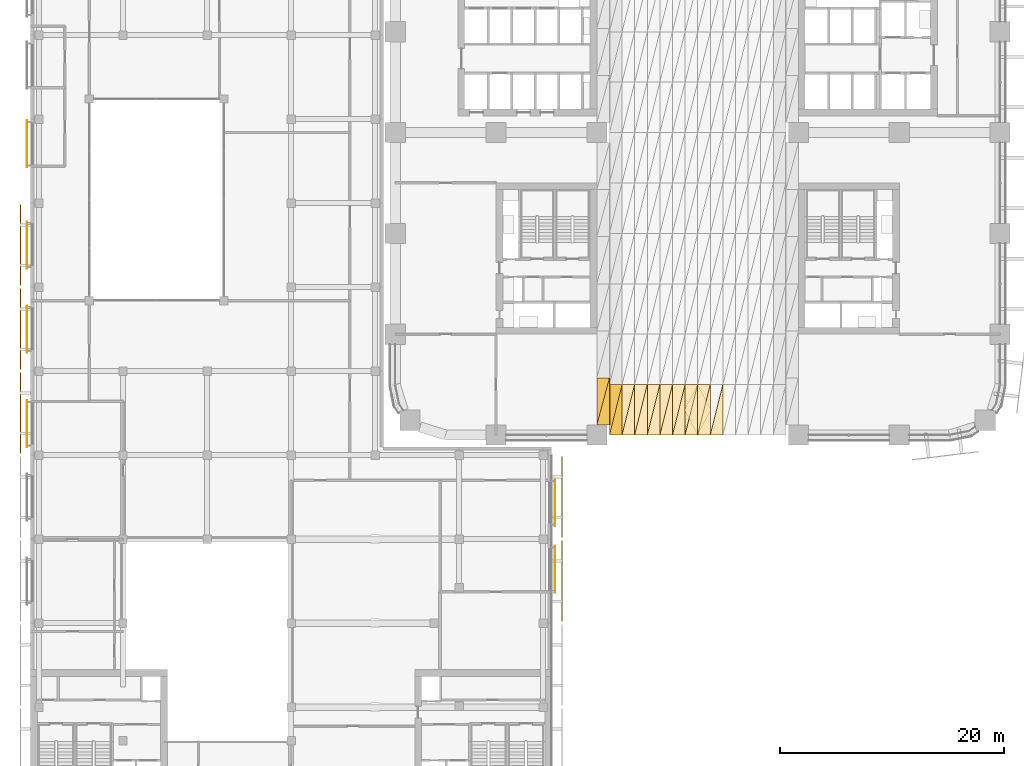
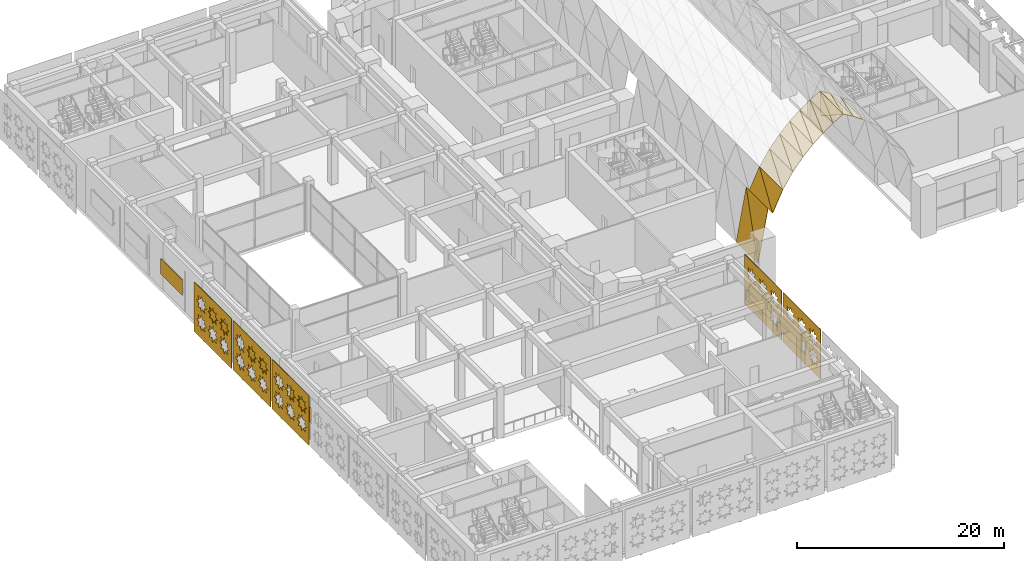
# One storey, part 32 of 46: 32 coverings.
"""IFC4 building model written with IfcOpenShell, lengths in metres."""

import ifcopenshell
import ifcopenshell.guid

model = None  # the IFC model being written
_history = None  # IfcOwnerHistory: only IFC2X3 demands one
_inside = {}  # id of a spatial element -> (the spatial element, [elements in it])
_under = {}  # id of a project, library or spatial element -> (it, [spatial elements below it])
_declared = {}  # id of a project -> (the project, [libraries it declares])
_typed = {}  # id of a type object -> (the type object, [elements of that type])
_made_of = {}  # id of a material, layer set ... -> (it, [elements and type objects made of it])


def new_model(schema):
    """Start an empty IFC model of exactly this schema.

    Asked for "IFC4X3", IfcOpenShell would pick the latest addendum, in which some entities
    have other attributes; the version numbers below select the first issue.
    IFC2X3 requires an IfcOwnerHistory on every rooted entity: one is made here for all.
    """
    global model, _history
    if schema == "IFC4X3":
        model = ifcopenshell.file(schema_version=(4, 3, 0, 0))
    else:
        model = ifcopenshell.file(schema=schema)
    _inside.clear()
    _under.clear()
    _declared.clear()
    _typed.clear()
    _made_of.clear()
    _history = None
    if model.schema == "IFC2X3":
        org = make("IfcOrganization", Name="unknown")
        user = make(
            "IfcPersonAndOrganization",
            ThePerson=make("IfcPerson", FamilyName="unknown"),
            TheOrganization=org,
        )
        app = make(
            "IfcApplication",
            ApplicationDeveloper=org,
            Version="unknown",
            ApplicationFullName="unknown",
            ApplicationIdentifier="unknown",
        )
        _history = make(
            "IfcOwnerHistory",
            OwningUser=user,
            OwningApplication=app,
            ChangeAction="ADDED",
            CreationDate=0,
        )
    return model


def make(cls, **values):
    """One entity of the class cls with the attributes given. An attribute that is None is left unset."""
    return model.create_entity(
        cls, **{name: value for name, value in values.items() if value is not None}
    )


def rooted(cls, **values):
    """An entity with a GlobalId (a new one), such as an element, a storey or a relation."""
    return make(cls, GlobalId=ifcopenshell.guid.new(), OwnerHistory=_history, **values)


def si_unit(unit_type, name, prefix=None):
    """IfcSIUnit, for example si_unit("LENGTHUNIT", "METRE", prefix="MILLI")."""
    return make("IfcSIUnit", UnitType=unit_type, Prefix=prefix, Name=name)


def assignment(units):
    """IfcUnitAssignment: the units of a project."""
    return None if units is None else make("IfcUnitAssignment", Units=units)


def point(xyz):
    """IfcCartesianPoint."""
    return None if xyz is None else make("IfcCartesianPoint", Coordinates=xyz)


def direction(xyz):
    """IfcDirection."""
    return None if xyz is None else make("IfcDirection", DirectionRatios=xyz)


def frame(location, z_axis=None, x_axis=None):
    """IfcAxis2Placement3D, a coordinate frame: its origin and axes. An axis left out is left unset."""
    return make(
        "IfcAxis2Placement3D",
        Location=point(location),
        Axis=direction(z_axis),
        RefDirection=direction(x_axis),
    )


def frame_2d(location, x_axis=None):
    """IfcAxis2Placement2D, a coordinate frame in the plane: its origin and x axis."""
    return make(
        "IfcAxis2Placement2D", Location=point(location), RefDirection=direction(x_axis)
    )


def origin():
    """The frame at (0, 0, 0) with its axes left unset."""
    return frame((0.0, 0.0, 0.0))


def origin_2d():
    """The frame at (0, 0) in the plane with its x axis left unset."""
    return frame_2d((0.0, 0.0))


def place(relative_to, where):
    """IfcLocalPlacement: puts the frame where relative to a parent placement (None: the world)."""
    return make(
        "IfcLocalPlacement", PlacementRelTo=relative_to, RelativePlacement=where
    )


def context(
    kind, dimensions, precision=None, world=None, true_north=None, identifier=None
):
    """IfcGeometricRepresentationContext, for example the 3D "Model" context."""
    return make(
        "IfcGeometricRepresentationContext",
        ContextIdentifier=identifier,
        ContextType=kind,
        CoordinateSpaceDimension=dimensions,
        Precision=precision,
        WorldCoordinateSystem=world,
        TrueNorth=true_north,
    )


def subcontext(parent, identifier, kind, view, scale=None):
    """IfcGeometricRepresentationSubContext, for example "Body" below "Model"."""
    return make(
        "IfcGeometricRepresentationSubContext",
        ContextIdentifier=identifier,
        ContextType=kind,
        ParentContext=parent,
        TargetScale=scale,
        TargetView=view,
    )


def project(units=None, contexts=None):
    """IfcProject with its units and contexts."""
    return rooted(
        "IfcProject",
        Name="project",
        RepresentationContexts=contexts,
        UnitsInContext=assignment(units),
    )


def spatial(cls, under=None, at=None, **own):
    """A site, building, storey or space (cls), placed at a placement, below another one or the project."""
    s = rooted(cls, ObjectPlacement=at, **own)
    if under is not None:
        _under.setdefault(under.id(), (under, []))[1].append(s)
    return s


def polyline(points):
    """IfcPolyline through the points."""
    return make("IfcPolyline", Points=[point(p) for p in points])


def profile(cls, at=None, kind="AREA", **sizes):
    """A parametric profile (cls). Its sizes go by their IFC names, for example OverallWidth=200.0."""
    return make(cls, ProfileType=kind, Position=at, **sizes)


def rectangle(**sizes):
    """IfcRectangleProfileDef."""
    return profile("IfcRectangleProfileDef", **sizes)


def outline(outer, holes=None, kind="AREA"):
    """IfcArbitraryClosedProfileDef: a profile drawn as a closed curve; with holes, ...WithVoids."""
    if holes is None:
        return make("IfcArbitraryClosedProfileDef", ProfileType=kind, OuterCurve=outer)
    return make(
        "IfcArbitraryProfileDefWithVoids",
        ProfileType=kind,
        OuterCurve=outer,
        InnerCurves=holes,
    )


def extrude(swept, where, along, depth):
    """IfcExtrudedAreaSolid: the profile swept, set in the frame where, extruded along a direction by depth."""
    return make(
        "IfcExtrudedAreaSolid",
        SweptArea=swept,
        Position=where,
        ExtrudedDirection=direction(along),
        Depth=depth,
    )


def shape(context_of_items, identifier, shape_type, items):
    """IfcShapeRepresentation: the items that make up one representation, for example the "Body"."""
    return make(
        "IfcShapeRepresentation",
        ContextOfItems=context_of_items,
        RepresentationIdentifier=identifier,
        RepresentationType=shape_type,
        Items=items,
    )


def material(Name=None, Category=None):
    """IfcMaterial."""
    return make("IfcMaterial", Name=Name, Category=Category)


def layer(
    of_material, thickness, ventilated=None, Name=None, Category=None, Priority=None
):
    """IfcMaterialLayer: one layer of a wall or slab, of a material (None: an air gap)."""
    return make(
        "IfcMaterialLayer",
        Material=of_material,
        LayerThickness=thickness,
        IsVentilated=ventilated,
        Name=Name,
        Category=Category,
        Priority=Priority,
    )


def layer_set(layers, Name=None):
    """IfcMaterialLayerSet."""
    return make("IfcMaterialLayerSet", MaterialLayers=layers, LayerSetName=Name)


def made_of(thing, what):
    """Note that an element or type object is made of a material, layer set ...; save() writes the relation."""
    if what is not None:
        _made_of.setdefault(what.id(), (what, []))[1].append(thing)
    return thing


def type_object(cls, material=None, **own):
    """A type object (cls), such as IfcWallType, which elements share."""
    return made_of(rooted(cls, **own), material)


def element(
    cls,
    number,
    at=None,
    inside=None,
    cuts=None,
    type_object=None,
    material=None,
    context=None,
    identifier="Body",
    shape_type=None,
    held_by="IfcProductDefinitionShape",
    body=None,
    shapes=None,
    **own,
):
    """One element of the class cls, such as IfcWall. Its Tag is "e" and its number.

    at: its placement. inside: the storey or other place that contains it. cuts: it is an
    opening in that element (IfcRelVoidsElement). A single representation is given by context,
    identifier, shape_type and body (its items); several are given by shapes. held_by: the class
    of the entity that holds the representations. save() writes the other relations.
    """
    e = rooted(cls, Tag="e%d" % number, ObjectPlacement=at, **own)
    if body is not None:
        shapes = [shape(context, identifier, shape_type, body)]
    if shapes is not None:
        e.Representation = make(held_by, Representations=shapes)
    if inside is not None:
        _inside.setdefault(inside.id(), (inside, []))[1].append(e)
    if cuts is not None:
        rooted(
            "IfcRelVoidsElement", RelatingBuildingElement=cuts, RelatedOpeningElement=e
        )
    if type_object is not None:
        _typed.setdefault(type_object.id(), (type_object, []))[1].append(e)
    return made_of(e, material)


def aggregate(whole, parts):
    """IfcRelAggregates: a whole, such as a stair, and the parts it consists of."""
    return rooted("IfcRelAggregates", RelatingObject=whole, RelatedObjects=parts)


def save(model, path):
    """Write the relations noted so far, then the file.

    IfcRelAggregates (storeys below a building ...), IfcRelContainedInSpatialStructure (elements
    in a storey), IfcRelDefinesByType, IfcRelAssociatesMaterial and IfcRelDeclares: one each for
    every whole, place, type object, material and project.
    """
    for whole, parts in _under.values():
        aggregate(whole, parts)
    for where, things in _inside.values():
        rooted(
            "IfcRelContainedInSpatialStructure",
            RelatedElements=things,
            RelatingStructure=where,
        )
    for kind, things in _typed.values():
        rooted("IfcRelDefinesByType", RelatedObjects=things, RelatingType=kind)
    for what, things in _made_of.values():
        rooted("IfcRelAssociatesMaterial", RelatedObjects=things, RelatingMaterial=what)
    for by, libraries in _declared.values():
        rooted("IfcRelDeclares", RelatingContext=by, RelatedDefinitions=libraries)
    model.write(path)


model = new_model("IFC4")

# Units and contexts
model_context = context("Model", 3, precision=1e-05, world=origin(), true_north=direction((0.0, 1.0)))
body_context = subcontext(model_context, "Body", "Model", "MODEL_VIEW")
ifc_project = project(units=[si_unit("LENGTHUNIT", "METRE"), si_unit("AREAUNIT", "SQUARE_METRE"), si_unit("VOLUMEUNIT", "CUBIC_METRE"), si_unit("PLANEANGLEUNIT", "RADIAN"), si_unit("MASSUNIT", "GRAM", prefix="KILO")], contexts=[model_context])

# Site, building, storey
site_placement = place(None, origin())
site = spatial("IfcSite", under=ifc_project, at=site_placement, CompositionType="ELEMENT")
building_placement = place(site_placement, origin())
building = spatial("IfcBuilding", under=site, at=building_placement, Name="Tessera Arch", CompositionType="ELEMENT")
storey_placement = place(building_placement, frame((0.0, 0.0, 8.0)))
storey = spatial("IfcBuildingStorey", under=building, at=storey_placement, Name="L01", CompositionType="ELEMENT", Elevation=8.0)

# Coverings
ifc_material_1 = material(Name="Aluminium cladding pale metal anodised", Category="aluminium")
ifc_layer_1 = layer(ifc_material_1, 0.050048828125)
ifc_layer_set_1 = layer_set([ifc_layer_1], Name="Arch soffit panel")
covering_type_1 = type_object("IfcCoveringType", Name="Arch soffit panel", PredefinedType="CLADDING", material=ifc_layer_set_1)
covering_1_placement = place(storey_placement, frame((18.0, 0.89990234375, 2.0), z_axis=(-0.98331706381, 0.0, 0.181899840628), x_axis=(0.181899840628, 0.0, 0.98331706381)))
element("IfcCovering", 1, at=covering_1_placement, inside=storey, type_object=covering_type_1, Name="Arch soffit panel 1-1-1", PredefinedType="CLADDING", context=body_context, shape_type="SweptSolid", body=[
    extrude(outline(polyline([(0.0, 0.0), (6.184722296170829, 0.0), (6.184722296170829, 4.200195312500001), (0.0, 0.0)])), origin(), (0.0, 0.0, -1.0), 0.050048828125),
])
covering_2_placement = place(storey_placement, frame((18.0, 0.89990234375, 2.0), z_axis=(-0.98331706381, 0.0, 0.181899840628), x_axis=(0.150479044377, 0.561814557175, 0.813462021578)))
element("IfcCovering", 2, at=covering_2_placement, inside=storey, type_object=covering_type_1, Name="Arch soffit panel 1-1-2", PredefinedType="CLADDING", context=body_context, shape_type="SweptSolid", body=[
    extrude(outline(polyline([(0.0, 0.0), (7.47612403213721, 4.440892098500626e-16), (2.3597308695403933, 3.4746670180731147), (0.0, 0.0)])), origin(), (0.0, 0.0, -1.0), 0.050048828125),
])
covering_3_placement = place(storey_placement, frame((19.125, 0.0, 8.08154296875), z_axis=(-0.903430696756, 0.0, 0.428734155577), x_axis=(0.428734155577, 0.0, 0.903430696756)))
element("IfcCovering", 3, at=covering_3_placement, inside=storey, type_object=covering_type_1, Name="Arch soffit panel 2-1-1", PredefinedType="CLADDING", context=body_context, shape_type="SweptSolid", body=[
    extrude(outline(polyline([(0.0, 0.0), (2.624003675391368, 0.0), (2.624003675391368, 4.500000000000001), (0.0, 0.0)])), origin(), (0.0, 0.0, -1.0), 0.050048828125),
])
covering_4_placement = place(storey_placement, frame((19.125, 0.0, 8.08154296875), z_axis=(-0.903430696756, 0.0, 0.428734155577), x_axis=(0.215965533365, 0.863862133459, 0.455083621739)))
element("IfcCovering", 4, at=covering_4_placement, inside=storey, type_object=covering_type_1, Name="Arch soffit panel 2-1-2", PredefinedType="CLADDING", context=body_context, shape_type="SweptSolid", body=[
    extrude(outline(polyline([(0.0, 0.0), (5.209164548031422, 0.0), (3.887379600564281, 2.2667774132271337), (0.0, 0.0)])), origin(), (0.0, 0.0, -1.0), 0.050048828125),
])
covering_5_placement = place(storey_placement, frame((20.25, 0.0, 10.4521484375), z_axis=(-0.836058150895, 0.0, 0.548640837272), x_axis=(0.548640837272, 0.0, 0.836058150895)))
element("IfcCovering", 5, at=covering_5_placement, inside=storey, type_object=covering_type_1, Name="Arch soffit panel 3-1-1", PredefinedType="CLADDING", context=body_context, shape_type="SweptSolid", body=[
    extrude(outline(polyline([(0.0, 0.0), (2.050521805110356, 0.0), (2.050521805110356, 4.500000000000001), (0.0, 0.0)])), origin(), (0.0, 0.0, -1.0), 0.050048828125),
])
covering_6_placement = place(storey_placement, frame((20.25, 0.0, 10.4521484375), z_axis=(-0.836058150895, 0.0, 0.548640837272), x_axis=(0.227495016996, 0.909980067983, 0.346673179111)))
element("IfcCovering", 6, at=covering_6_placement, inside=storey, type_object=covering_type_1, Name="Arch soffit panel 3-1-2", PredefinedType="CLADDING", context=body_context, shape_type="SweptSolid", body=[
    extrude(outline(polyline([(0.0, 0.0), (4.945163260523664, 0.0), (4.094910305924995, 1.8659339716156267), (0.0, 0.0)])), origin(), (0.0, 0.0, -1.0), 0.050048828125),
])
covering_7_placement = place(storey_placement, frame((21.375, 0.0, 12.16650390625), z_axis=(-0.769435590456, 0.0, 0.638724410164), x_axis=(0.638724410164, 0.0, 0.769435590456)))
element("IfcCovering", 7, at=covering_7_placement, inside=storey, type_object=covering_type_1, Name="Arch soffit panel 4-1-1", PredefinedType="CLADDING", context=body_context, shape_type="SweptSolid", body=[
    extrude(outline(polyline([(0.0, 0.0), (1.7613230089496987, 0.0), (1.7613230089496987, 4.5), (0.0, 0.0)])), origin(), (0.0, 0.0, -1.0), 0.050048828125),
])
covering_8_placement = place(storey_placement, frame((21.375, 0.0, 12.16650390625), z_axis=(-0.769435590456, 0.0, 0.638724410164), x_axis=(0.232802733554, 0.931210934214, 0.280444438793)))
element("IfcCovering", 8, at=covering_8_placement, inside=storey, type_object=covering_type_1, Name="Arch soffit panel 4-1-2", PredefinedType="CLADDING", context=body_context, shape_type="SweptSolid", body=[
    extrude(outline(polyline([(0.0, 0.0), (4.832417484226257, 2.220446049250313e-16), (4.190449203964491, 1.640163244617246), (0.0, 0.0)])), origin(), (0.0, 0.0, -1.0), 0.050048828125),
])
covering_9_placement = place(storey_placement, frame((22.5, 0.0, 13.521728515625), z_axis=(-0.70300502251, 0.0, 0.711184883364), x_axis=(0.711184883364, 0.0, 0.70300502251)))
element("IfcCovering", 9, at=covering_9_placement, inside=storey, type_object=covering_type_1, Name="Arch soffit panel 5-1-1", PredefinedType="CLADDING", context=body_context, shape_type="SweptSolid", body=[
    extrude(outline(polyline([(0.0, 0.0), (1.5818671435730385, 0.0), (1.5818671435730385, 4.5), (0.0, 0.0)])), origin(), (0.0, 0.0, -1.0), 0.050048828125),
])
covering_10_placement = place(storey_placement, frame((22.5, 0.0, 13.521728515625), z_axis=(-0.70300502251, 0.0, 0.711184883364), x_axis=(0.235852147397, 0.943408589587, 0.233139438236)))
element("IfcCovering", 10, at=covering_10_placement, inside=storey, type_object=covering_type_1, Name="Arch soffit panel 5-1-2", PredefinedType="CLADDING", context=body_context, shape_type="SweptSolid", body=[
    extrude(outline(polyline([(0.0, 0.0), (4.769937490147635, 0.0), (4.245338653143071, 1.4923470508328087), (0.0, 0.0)])), origin(), (0.0, 0.0, -1.0), 0.050048828125),
])
covering_11_placement = place(storey_placement, frame((23.625, 0.0, 14.6337890625), z_axis=(-0.636621915226, 0.0, 0.771176073964), x_axis=(0.771176073964, 0.0, 0.636621915226)))
element("IfcCovering", 11, at=covering_11_placement, inside=storey, type_object=covering_type_1, Name="Arch soffit panel 6-1-1", PredefinedType="CLADDING", context=body_context, shape_type="SweptSolid", body=[
    extrude(outline(polyline([(0.0, 0.0), (1.4588108189316835, 0.0), (1.4588108189316835, 4.5), (0.0, 0.0)])), origin(), (0.0, 0.0, -1.0), 0.050048828125),
])
covering_12_placement = place(storey_placement, frame((23.625, 0.0, 14.6337890625), z_axis=(-0.636621915226, 0.0, 0.771176073964), x_axis=(0.237815762211, 0.951263048844, 0.1963218662)))
element("IfcCovering", 12, at=covering_12_placement, inside=storey, type_object=covering_type_1, Name="Arch soffit panel 6-1-2", PredefinedType="CLADDING", context=body_context, shape_type="SweptSolid", body=[
    extrude(outline(polyline([(0.0, 0.0), (4.730552716695177, 1.1102230246251565e-16), (4.280683719797313, 1.3877128273033432), (0.0, 0.0)])), origin(), (0.0, 0.0, -1.0), 0.050048828125),
])
covering_13_placement = place(storey_placement, frame((24.75, 0.0, 15.5625), z_axis=(-0.570275535921, 0.0, 0.821453475938), x_axis=(0.821453475938, 0.0, 0.570275535921)))
element("IfcCovering", 13, at=covering_13_placement, inside=storey, type_object=covering_type_1, Name="Arch soffit panel 7-1-1", PredefinedType="CLADDING", context=body_context, shape_type="SweptSolid", body=[
    extrude(outline(polyline([(0.0, 0.0), (1.3695236954423544, 0.0), (1.3695236954423544, 4.5), (0.0, 0.0)])), origin(), (0.0, 0.0, -1.0), 0.050048828125),
])
covering_14_placement = place(storey_placement, frame((24.75, 0.0, 15.5625), z_axis=(-0.570275535921, 0.0, 0.821453475938), x_axis=(0.239169084806, 0.956676339224, 0.166037739213)))
element("IfcCovering", 14, at=covering_14_placement, inside=storey, type_object=covering_type_1, Name="Arch soffit panel 7-1-2", PredefinedType="CLADDING", context=body_context, shape_type="SweptSolid", body=[
    extrude(outline(polyline([(0.0, 0.0), (4.703785194115276, 1.6653345369377348e-16), (4.305043526505844, 1.3101909154356595), (0.0, 0.0)])), origin(), (0.0, 0.0, -1.0), 0.050048828125),
])
covering_15_placement = place(storey_placement, frame((25.875, 0.0, 16.343505859375), z_axis=(-0.504010866283, 0.0, 0.863697311949), x_axis=(0.863697311949, 0.0, 0.504010866283)))
element("IfcCovering", 15, at=covering_15_placement, inside=storey, type_object=covering_type_1, Name="Arch soffit panel 8-1-1", PredefinedType="CLADDING", context=body_context, shape_type="SweptSolid", body=[
    extrude(outline(polyline([(0.0, 0.0), (1.3025396564692215, 0.0), (1.3025396564692215, 4.5), (0.0, 0.0)])), origin(), (0.0, 0.0, -1.0), 0.050048828125),
])
covering_16_placement = place(storey_placement, frame((25.875, 0.0, 16.343505859375), z_axis=(-0.504010866283, 0.0, 0.863697311949), x_axis=(0.240142376268, 0.960569505072, 0.140135167054)))
element("IfcCovering", 16, at=covering_16_placement, inside=storey, type_object=covering_type_1, Name="Arch soffit panel 8-1-2", PredefinedType="CLADDING", context=body_context, shape_type="SweptSolid", body=[
    extrude(outline(polyline([(0.0, 0.0), (4.684720862193921, 1.6653345369377348e-16), (4.322562772825837, 1.2511798731518247), (0.0, 0.0)])), origin(), (0.0, 0.0, -1.0), 0.050048828125),
])
covering_17_placement = place(storey_placement, frame((27.0, 0.0, 17.0), z_axis=(0.504010866283, 0.0, 0.863697311949), x_axis=(0.863697311949, 0.0, -0.504010866283)))
element("IfcCovering", 17, at=covering_17_placement, inside=storey, type_object=covering_type_1, Name="Arch soffit panel 9-1-1", PredefinedType="CLADDING", context=body_context, shape_type="SweptSolid", body=[
    extrude(outline(polyline([(0.0, 0.0), (1.3025396564692215, 0.0), (1.3025396564692215, 4.5), (0.0, 0.0)])), origin(), (0.0, 0.0, -1.0), 0.050048828125),
])
covering_18_placement = place(storey_placement, frame((27.0, 0.0, 17.0), z_axis=(0.504010866283, 0.0, 0.863697311949), x_axis=(0.240142376268, 0.960569505072, -0.140135167054)))
element("IfcCovering", 18, at=covering_18_placement, inside=storey, type_object=covering_type_1, Name="Arch soffit panel 9-1-2", PredefinedType="CLADDING", context=body_context, shape_type="SweptSolid", body=[
    extrude(outline(polyline([(0.0, 0.0), (4.684720862193921, 1.6653345369377348e-16), (4.322562772825837, 1.2511798731518247), (0.0, 0.0)])), origin(), (0.0, 0.0, -1.0), 0.050048828125),
])
covering_19_placement = place(storey_placement, frame((28.125, 0.0, 16.343505859375), z_axis=(0.570275535921, 0.0, 0.821453475938), x_axis=(0.821453475938, 0.0, -0.570275535921)))
element("IfcCovering", 19, at=covering_19_placement, inside=storey, type_object=covering_type_1, Name="Arch soffit panel 10-1-1", PredefinedType="CLADDING", context=body_context, shape_type="SweptSolid", body=[
    extrude(outline(polyline([(0.0, 0.0), (1.3695236954423544, 0.0), (1.3695236954423544, 4.5), (0.0, 0.0)])), origin(), (0.0, 0.0, -1.0), 0.050048828125),
])
covering_20_placement = place(storey_placement, frame((27.0, 0.0, 16.949951171875), z_axis=(-0.675690668518, 0.0, 0.737185268761), x_axis=(0.0, 1.0, 0.0)))
element("IfcCovering", 20, at=covering_20_placement, inside=storey, type_object=covering_type_1, Name="Arch soffit facet W1", PredefinedType="CLADDING", context=body_context, shape_type="SweptSolid", body=[
    extrude(outline(polyline([(0.0, 0.0), (4.5, 0.0), (2.25, 1.6277470843828468), (0.0, 0.0)])), origin(), (0.0, 0.0, -1.0), 0.050048828125),
])
covering_21_placement = place(storey_placement, frame((27.0, 0.0, 16.949951171875), z_axis=(0.675690668518, 0.0, 0.737185268761), x_axis=(0.0, 1.0, 0.0)))
element("IfcCovering", 21, at=covering_21_placement, inside=storey, type_object=covering_type_1, Name="Arch soffit facet E1", PredefinedType="CLADDING", context=body_context, shape_type="SweptSolid", body=[
    extrude(outline(polyline([(0.0, 0.0), (4.5, 0.0), (2.25, -1.6277470843828468), (0.0, 0.0)])), origin(), (0.0, 0.0, -1.0), 0.050048828125),
])
ifc_material_2 = material(Name="Anodised aluminium pale metal", Category="aluminium")
ifc_layer_2 = layer(ifc_material_2, 0.050048828125)
ifc_layer_set_2 = layer_set([ifc_layer_2], Name="Museum lattice skin panel")
covering_type_2 = type_object("IfcCoveringType", Name="Museum lattice skin panel", PredefinedType="CLADDING", material=ifc_layer_set_2)
covering_22_placement = place(storey_placement, frame((14.85009765625, -16.64990234375, 5.949951171875), z_axis=(-1.0, 0.0, 0.0), x_axis=(0.0, 1.0, 0.0)))
element("IfcCovering", 22, at=covering_22_placement, inside=storey, type_object=covering_type_2, Name="Museum lattice skin L01 2-4", PredefinedType="CLADDING", context=body_context, shape_type="SweptSolid", body=[
    extrude(outline(polyline([(0.0, 0.0), (7.199951171875, 0.0), (7.199951171875, 5.849853515625), (0.0, 5.849853515625), (0.0, 0.0)]), holes=[polyline([(2.367919921875, 4.02490234375), (1.887939453125, 3.822998046875), (2.083984375, 3.341064453125), (1.601806640625, 3.536865234375), (1.39990234375, 3.056884765625), (1.197998046875, 3.536865234375), (0.7158203125, 3.341064453125), (0.911865234375, 3.822998046875), (0.431884765625, 4.02490234375), (0.911865234375, 4.22705078125), (0.7158203125, 4.708984375), (1.197998046875, 4.512939453125), (1.39990234375, 4.992919921875), (1.601806640625, 4.512939453125), (2.083984375, 4.708984375), (1.887939453125, 4.22705078125), (2.367919921875, 4.02490234375)]), polyline([(2.367919921875, 1.824951171875), (1.887939453125, 1.623046875), (2.083984375, 1.140869140625), (1.601806640625, 1.3369140625), (1.39990234375, 0.85693359375), (1.197998046875, 1.3369140625), (0.7158203125, 1.140869140625), (0.911865234375, 1.623046875), (0.431884765625, 1.824951171875), (0.911865234375, 2.02685546875), (0.7158203125, 2.509033203125), (1.197998046875, 2.31298828125), (1.39990234375, 2.79296875), (1.601806640625, 2.31298828125), (2.083984375, 2.509033203125), (1.887939453125, 2.02685546875), (2.367919921875, 1.824951171875)]), polyline([(4.56787109375, 4.02490234375), (4.087890625, 3.822998046875), (4.283935546875, 3.341064453125), (3.802001953125, 3.536865234375), (3.599853515625, 3.056884765625), (3.39794921875, 3.536865234375), (2.916015625, 3.341064453125), (3.11181640625, 3.822998046875), (2.6318359375, 4.02490234375), (3.11181640625, 4.22705078125), (2.916015625, 4.708984375), (3.39794921875, 4.512939453125), (3.599853515625, 4.992919921875), (3.802001953125, 4.512939453125), (4.283935546875, 4.708984375), (4.087890625, 4.22705078125), (4.56787109375, 4.02490234375)]), polyline([(4.56787109375, 1.824951171875), (4.087890625, 1.623046875), (4.283935546875, 1.140869140625), (3.802001953125, 1.3369140625), (3.599853515625, 0.85693359375), (3.39794921875, 1.3369140625), (2.916015625, 1.140869140625), (3.11181640625, 1.623046875), (2.6318359375, 1.824951171875), (3.11181640625, 2.02685546875), (2.916015625, 2.509033203125), (3.39794921875, 2.31298828125), (3.599853515625, 2.79296875), (3.802001953125, 2.31298828125), (4.283935546875, 2.509033203125), (4.087890625, 2.02685546875), (4.56787109375, 1.824951171875)]), polyline([(6.767822265625, 4.02490234375), (6.287841796875, 3.822998046875), (6.48388671875, 3.341064453125), (6.001953125, 3.536865234375), (5.7998046875, 3.056884765625), (5.597900390625, 3.536865234375), (5.115966796875, 3.341064453125), (5.31201171875, 3.822998046875), (4.831787109375, 4.02490234375), (5.31201171875, 4.22705078125), (5.115966796875, 4.708984375), (5.597900390625, 4.512939453125), (5.7998046875, 4.992919921875), (6.001953125, 4.512939453125), (6.48388671875, 4.708984375), (6.287841796875, 4.22705078125), (6.767822265625, 4.02490234375)]), polyline([(6.767822265625, 1.824951171875), (6.287841796875, 1.623046875), (6.48388671875, 1.140869140625), (6.001953125, 1.3369140625), (5.7998046875, 0.85693359375), (5.597900390625, 1.3369140625), (5.115966796875, 1.140869140625), (5.31201171875, 1.623046875), (4.831787109375, 1.824951171875), (5.31201171875, 2.02685546875), (5.115966796875, 2.509033203125), (5.597900390625, 2.31298828125), (5.7998046875, 2.79296875), (6.001953125, 2.31298828125), (6.48388671875, 2.509033203125), (6.287841796875, 2.02685546875), (6.767822265625, 1.824951171875)])]), origin(), (0.0, 0.0, -1.0), 0.050048828125),
])
covering_23_placement = place(storey_placement, frame((14.85009765625, -9.14990234375, 5.949951171875), z_axis=(-1.0, 0.0, 0.0), x_axis=(0.0, 1.0, 0.0)))
element("IfcCovering", 23, at=covering_23_placement, inside=storey, type_object=covering_type_2, Name="Museum lattice skin L01 2-5", PredefinedType="CLADDING", context=body_context, shape_type="SweptSolid", body=[
    extrude(outline(polyline([(0.0, 0.0), (7.199951171875, 0.0), (7.199951171875, 5.849853515625), (0.0, 5.849853515625), (0.0, 0.0)]), holes=[polyline([(2.367919921875, 4.02490234375), (1.887939453125, 3.822998046875), (2.083984375, 3.341064453125), (1.601806640625, 3.536865234375), (1.39990234375, 3.056884765625), (1.197998046875, 3.536865234375), (0.7158203125, 3.341064453125), (0.911865234375, 3.822998046875), (0.431884765625, 4.02490234375), (0.911865234375, 4.22705078125), (0.7158203125, 4.708984375), (1.197998046875, 4.512939453125), (1.39990234375, 4.992919921875), (1.601806640625, 4.512939453125), (2.083984375, 4.708984375), (1.887939453125, 4.22705078125), (2.367919921875, 4.02490234375)]), polyline([(2.367919921875, 1.824951171875), (1.887939453125, 1.623046875), (2.083984375, 1.140869140625), (1.601806640625, 1.3369140625), (1.39990234375, 0.85693359375), (1.197998046875, 1.3369140625), (0.7158203125, 1.140869140625), (0.911865234375, 1.623046875), (0.431884765625, 1.824951171875), (0.911865234375, 2.02685546875), (0.7158203125, 2.509033203125), (1.197998046875, 2.31298828125), (1.39990234375, 2.79296875), (1.601806640625, 2.31298828125), (2.083984375, 2.509033203125), (1.887939453125, 2.02685546875), (2.367919921875, 1.824951171875)]), polyline([(4.56787109375, 4.02490234375), (4.087890625, 3.822998046875), (4.283935546875, 3.341064453125), (3.802001953125, 3.536865234375), (3.599853515625, 3.056884765625), (3.39794921875, 3.536865234375), (2.916015625, 3.341064453125), (3.11181640625, 3.822998046875), (2.6318359375, 4.02490234375), (3.11181640625, 4.22705078125), (2.916015625, 4.708984375), (3.39794921875, 4.512939453125), (3.599853515625, 4.992919921875), (3.802001953125, 4.512939453125), (4.283935546875, 4.708984375), (4.087890625, 4.22705078125), (4.56787109375, 4.02490234375)]), polyline([(4.56787109375, 1.824951171875), (4.087890625, 1.623046875), (4.283935546875, 1.140869140625), (3.802001953125, 1.3369140625), (3.599853515625, 0.85693359375), (3.39794921875, 1.3369140625), (2.916015625, 1.140869140625), (3.11181640625, 1.623046875), (2.6318359375, 1.824951171875), (3.11181640625, 2.02685546875), (2.916015625, 2.509033203125), (3.39794921875, 2.31298828125), (3.599853515625, 2.79296875), (3.802001953125, 2.31298828125), (4.283935546875, 2.509033203125), (4.087890625, 2.02685546875), (4.56787109375, 1.824951171875)]), polyline([(6.767822265625, 4.02490234375), (6.287841796875, 3.822998046875), (6.48388671875, 3.341064453125), (6.001953125, 3.536865234375), (5.7998046875, 3.056884765625), (5.597900390625, 3.536865234375), (5.115966796875, 3.341064453125), (5.31201171875, 3.822998046875), (4.831787109375, 4.02490234375), (5.31201171875, 4.22705078125), (5.115966796875, 4.708984375), (5.597900390625, 4.512939453125), (5.7998046875, 4.992919921875), (6.001953125, 4.512939453125), (6.48388671875, 4.708984375), (6.287841796875, 4.22705078125), (6.767822265625, 4.02490234375)]), polyline([(6.767822265625, 1.824951171875), (6.287841796875, 1.623046875), (6.48388671875, 1.140869140625), (6.001953125, 1.3369140625), (5.7998046875, 0.85693359375), (5.597900390625, 1.3369140625), (5.115966796875, 1.140869140625), (5.31201171875, 1.623046875), (4.831787109375, 1.824951171875), (5.31201171875, 2.02685546875), (5.115966796875, 2.509033203125), (5.597900390625, 2.31298828125), (5.7998046875, 2.79296875), (6.001953125, 2.31298828125), (6.48388671875, 2.509033203125), (6.287841796875, 2.02685546875), (6.767822265625, 1.824951171875)])]), origin(), (0.0, 0.0, -1.0), 0.050048828125),
])
covering_24_placement = place(storey_placement, frame((-33.449951171875, 20.550048828125, 5.949951171875), z_axis=(1.0, 0.0, 0.0), x_axis=(0.0, -1.0, 0.0)))
element("IfcCovering", 24, at=covering_24_placement, inside=storey, type_object=covering_type_2, Name="Museum lattice skin L01 6-7", PredefinedType="CLADDING", context=body_context, shape_type="SweptSolid", body=[
    extrude(outline(polyline([(0.0, 0.0), (7.199951171875, 0.0), (7.199951171875, 5.849853515625), (0.0, 5.849853515625), (0.0, 0.0)]), holes=[polyline([(2.3681640625, 4.02490234375), (1.887939453125, 3.822998046875), (2.083984375, 3.341064453125), (1.60205078125, 3.536865234375), (1.400146484375, 3.056884765625), (1.197998046875, 3.536865234375), (0.716064453125, 3.341064453125), (0.912109375, 3.822998046875), (0.43212890625, 4.02490234375), (0.912109375, 4.22705078125), (0.716064453125, 4.708984375), (1.197998046875, 4.512939453125), (1.400146484375, 4.992919921875), (1.60205078125, 4.512939453125), (2.083984375, 4.708984375), (1.887939453125, 4.22705078125), (2.3681640625, 4.02490234375)]), polyline([(2.3681640625, 1.824951171875), (1.887939453125, 1.623046875), (2.083984375, 1.140869140625), (1.60205078125, 1.3369140625), (1.400146484375, 0.85693359375), (1.197998046875, 1.3369140625), (0.716064453125, 1.140869140625), (0.912109375, 1.623046875), (0.43212890625, 1.824951171875), (0.912109375, 2.02685546875), (0.716064453125, 2.509033203125), (1.197998046875, 2.31298828125), (1.400146484375, 2.79296875), (1.60205078125, 2.31298828125), (2.083984375, 2.509033203125), (1.887939453125, 2.02685546875), (2.3681640625, 1.824951171875)]), polyline([(4.568115234375, 4.02490234375), (4.088134765625, 3.822998046875), (4.283935546875, 3.341064453125), (3.802001953125, 3.536865234375), (3.60009765625, 3.056884765625), (3.39794921875, 3.536865234375), (2.916015625, 3.341064453125), (3.112060546875, 3.822998046875), (2.632080078125, 4.02490234375), (3.112060546875, 4.22705078125), (2.916015625, 4.708984375), (3.39794921875, 4.512939453125), (3.60009765625, 4.992919921875), (3.802001953125, 4.512939453125), (4.283935546875, 4.708984375), (4.088134765625, 4.22705078125), (4.568115234375, 4.02490234375)]), polyline([(4.568115234375, 1.824951171875), (4.088134765625, 1.623046875), (4.283935546875, 1.140869140625), (3.802001953125, 1.3369140625), (3.60009765625, 0.85693359375), (3.39794921875, 1.3369140625), (2.916015625, 1.140869140625), (3.112060546875, 1.623046875), (2.632080078125, 1.824951171875), (3.112060546875, 2.02685546875), (2.916015625, 2.509033203125), (3.39794921875, 2.31298828125), (3.60009765625, 2.79296875), (3.802001953125, 2.31298828125), (4.283935546875, 2.509033203125), (4.088134765625, 2.02685546875), (4.568115234375, 1.824951171875)]), polyline([(6.76806640625, 4.02490234375), (6.2880859375, 3.822998046875), (6.484130859375, 3.341064453125), (6.001953125, 3.536865234375), (5.800048828125, 3.056884765625), (5.59814453125, 3.536865234375), (5.115966796875, 3.341064453125), (5.31201171875, 3.822998046875), (4.83203125, 4.02490234375), (5.31201171875, 4.22705078125), (5.115966796875, 4.708984375), (5.59814453125, 4.512939453125), (5.800048828125, 4.992919921875), (6.001953125, 4.512939453125), (6.484130859375, 4.708984375), (6.2880859375, 4.22705078125), (6.76806640625, 4.02490234375)]), polyline([(6.76806640625, 1.824951171875), (6.2880859375, 1.623046875), (6.484130859375, 1.140869140625), (6.001953125, 1.3369140625), (5.800048828125, 0.85693359375), (5.59814453125, 1.3369140625), (5.115966796875, 1.140869140625), (5.31201171875, 1.623046875), (4.83203125, 1.824951171875), (5.31201171875, 2.02685546875), (5.115966796875, 2.509033203125), (5.59814453125, 2.31298828125), (5.800048828125, 2.79296875), (6.001953125, 2.31298828125), (6.484130859375, 2.509033203125), (6.2880859375, 2.02685546875), (6.76806640625, 1.824951171875)])]), origin(), (0.0, 0.0, -1.0), 0.050048828125),
])
covering_25_placement = place(storey_placement, frame((-33.449951171875, 13.050048828125, 5.949951171875), z_axis=(1.0, 0.0, 0.0), x_axis=(0.0, -1.0, 0.0)))
element("IfcCovering", 25, at=covering_25_placement, inside=storey, type_object=covering_type_2, Name="Museum lattice skin L01 6-8", PredefinedType="CLADDING", context=body_context, shape_type="SweptSolid", body=[
    extrude(outline(polyline([(0.0, 0.0), (7.199951171875, 0.0), (7.199951171875, 5.849853515625), (0.0, 5.849853515625), (0.0, 0.0)]), holes=[polyline([(2.3681640625, 4.02490234375), (1.887939453125, 3.822998046875), (2.083984375, 3.341064453125), (1.60205078125, 3.536865234375), (1.400146484375, 3.056884765625), (1.197998046875, 3.536865234375), (0.716064453125, 3.341064453125), (0.912109375, 3.822998046875), (0.43212890625, 4.02490234375), (0.912109375, 4.22705078125), (0.716064453125, 4.708984375), (1.197998046875, 4.512939453125), (1.400146484375, 4.992919921875), (1.60205078125, 4.512939453125), (2.083984375, 4.708984375), (1.887939453125, 4.22705078125), (2.3681640625, 4.02490234375)]), polyline([(2.3681640625, 1.824951171875), (1.887939453125, 1.623046875), (2.083984375, 1.140869140625), (1.60205078125, 1.3369140625), (1.400146484375, 0.85693359375), (1.197998046875, 1.3369140625), (0.716064453125, 1.140869140625), (0.912109375, 1.623046875), (0.43212890625, 1.824951171875), (0.912109375, 2.02685546875), (0.716064453125, 2.509033203125), (1.197998046875, 2.31298828125), (1.400146484375, 2.79296875), (1.60205078125, 2.31298828125), (2.083984375, 2.509033203125), (1.887939453125, 2.02685546875), (2.3681640625, 1.824951171875)]), polyline([(4.568115234375, 4.02490234375), (4.088134765625, 3.822998046875), (4.283935546875, 3.341064453125), (3.802001953125, 3.536865234375), (3.60009765625, 3.056884765625), (3.39794921875, 3.536865234375), (2.916015625, 3.341064453125), (3.112060546875, 3.822998046875), (2.632080078125, 4.02490234375), (3.112060546875, 4.22705078125), (2.916015625, 4.708984375), (3.39794921875, 4.512939453125), (3.60009765625, 4.992919921875), (3.802001953125, 4.512939453125), (4.283935546875, 4.708984375), (4.088134765625, 4.22705078125), (4.568115234375, 4.02490234375)]), polyline([(4.568115234375, 1.824951171875), (4.088134765625, 1.623046875), (4.283935546875, 1.140869140625), (3.802001953125, 1.3369140625), (3.60009765625, 0.85693359375), (3.39794921875, 1.3369140625), (2.916015625, 1.140869140625), (3.112060546875, 1.623046875), (2.632080078125, 1.824951171875), (3.112060546875, 2.02685546875), (2.916015625, 2.509033203125), (3.39794921875, 2.31298828125), (3.60009765625, 2.79296875), (3.802001953125, 2.31298828125), (4.283935546875, 2.509033203125), (4.088134765625, 2.02685546875), (4.568115234375, 1.824951171875)]), polyline([(6.76806640625, 4.02490234375), (6.2880859375, 3.822998046875), (6.484130859375, 3.341064453125), (6.001953125, 3.536865234375), (5.800048828125, 3.056884765625), (5.59814453125, 3.536865234375), (5.115966796875, 3.341064453125), (5.31201171875, 3.822998046875), (4.83203125, 4.02490234375), (5.31201171875, 4.22705078125), (5.115966796875, 4.708984375), (5.59814453125, 4.512939453125), (5.800048828125, 4.992919921875), (6.001953125, 4.512939453125), (6.484130859375, 4.708984375), (6.2880859375, 4.22705078125), (6.76806640625, 4.02490234375)]), polyline([(6.76806640625, 1.824951171875), (6.2880859375, 1.623046875), (6.484130859375, 1.140869140625), (6.001953125, 1.3369140625), (5.800048828125, 0.85693359375), (5.59814453125, 1.3369140625), (5.115966796875, 1.140869140625), (5.31201171875, 1.623046875), (4.83203125, 1.824951171875), (5.31201171875, 2.02685546875), (5.115966796875, 2.509033203125), (5.59814453125, 2.31298828125), (5.800048828125, 2.79296875), (6.001953125, 2.31298828125), (6.484130859375, 2.509033203125), (6.2880859375, 2.02685546875), (6.76806640625, 1.824951171875)])]), origin(), (0.0, 0.0, -1.0), 0.050048828125),
])
covering_26_placement = place(storey_placement, frame((-33.449951171875, 5.550048828125, 5.949951171875), z_axis=(1.0, 0.0, 0.0), x_axis=(0.0, -1.0, 0.0)))
element("IfcCovering", 26, at=covering_26_placement, inside=storey, type_object=covering_type_2, Name="Museum lattice skin L01 6-9", PredefinedType="CLADDING", context=body_context, shape_type="SweptSolid", body=[
    extrude(outline(polyline([(0.0, 0.0), (7.199951171875, 0.0), (7.199951171875, 5.849853515625), (0.0, 5.849853515625), (0.0, 0.0)]), holes=[polyline([(2.3681640625, 4.02490234375), (1.887939453125, 3.822998046875), (2.083984375, 3.341064453125), (1.60205078125, 3.536865234375), (1.400146484375, 3.056884765625), (1.197998046875, 3.536865234375), (0.716064453125, 3.341064453125), (0.912109375, 3.822998046875), (0.43212890625, 4.02490234375), (0.912109375, 4.22705078125), (0.716064453125, 4.708984375), (1.197998046875, 4.512939453125), (1.400146484375, 4.992919921875), (1.60205078125, 4.512939453125), (2.083984375, 4.708984375), (1.887939453125, 4.22705078125), (2.3681640625, 4.02490234375)]), polyline([(2.3681640625, 1.824951171875), (1.887939453125, 1.623046875), (2.083984375, 1.140869140625), (1.60205078125, 1.3369140625), (1.400146484375, 0.85693359375), (1.197998046875, 1.3369140625), (0.716064453125, 1.140869140625), (0.912109375, 1.623046875), (0.43212890625, 1.824951171875), (0.912109375, 2.02685546875), (0.716064453125, 2.509033203125), (1.197998046875, 2.31298828125), (1.400146484375, 2.79296875), (1.60205078125, 2.31298828125), (2.083984375, 2.509033203125), (1.887939453125, 2.02685546875), (2.3681640625, 1.824951171875)]), polyline([(4.568115234375, 4.02490234375), (4.088134765625, 3.822998046875), (4.283935546875, 3.341064453125), (3.802001953125, 3.536865234375), (3.60009765625, 3.056884765625), (3.39794921875, 3.536865234375), (2.916015625, 3.341064453125), (3.112060546875, 3.822998046875), (2.632080078125, 4.02490234375), (3.112060546875, 4.22705078125), (2.916015625, 4.708984375), (3.39794921875, 4.512939453125), (3.60009765625, 4.992919921875), (3.802001953125, 4.512939453125), (4.283935546875, 4.708984375), (4.088134765625, 4.22705078125), (4.568115234375, 4.02490234375)]), polyline([(4.568115234375, 1.824951171875), (4.088134765625, 1.623046875), (4.283935546875, 1.140869140625), (3.802001953125, 1.3369140625), (3.60009765625, 0.85693359375), (3.39794921875, 1.3369140625), (2.916015625, 1.140869140625), (3.112060546875, 1.623046875), (2.632080078125, 1.824951171875), (3.112060546875, 2.02685546875), (2.916015625, 2.509033203125), (3.39794921875, 2.31298828125), (3.60009765625, 2.79296875), (3.802001953125, 2.31298828125), (4.283935546875, 2.509033203125), (4.088134765625, 2.02685546875), (4.568115234375, 1.824951171875)]), polyline([(6.76806640625, 4.02490234375), (6.2880859375, 3.822998046875), (6.484130859375, 3.341064453125), (6.001953125, 3.536865234375), (5.800048828125, 3.056884765625), (5.59814453125, 3.536865234375), (5.115966796875, 3.341064453125), (5.31201171875, 3.822998046875), (4.83203125, 4.02490234375), (5.31201171875, 4.22705078125), (5.115966796875, 4.708984375), (5.59814453125, 4.512939453125), (5.800048828125, 4.992919921875), (6.001953125, 4.512939453125), (6.484130859375, 4.708984375), (6.2880859375, 4.22705078125), (6.76806640625, 4.02490234375)]), polyline([(6.76806640625, 1.824951171875), (6.2880859375, 1.623046875), (6.484130859375, 1.140869140625), (6.001953125, 1.3369140625), (5.800048828125, 0.85693359375), (5.59814453125, 1.3369140625), (5.115966796875, 1.140869140625), (5.31201171875, 1.623046875), (4.83203125, 1.824951171875), (5.31201171875, 2.02685546875), (5.115966796875, 2.509033203125), (5.59814453125, 2.31298828125), (5.800048828125, 2.79296875), (6.001953125, 2.31298828125), (6.484130859375, 2.509033203125), (6.2880859375, 2.02685546875), (6.76806640625, 1.824951171875)])]), origin(), (0.0, 0.0, -1.0), 0.050048828125),
])
ifc_material_3 = material(Name="Anodised aluminium pale metal", Category="aluminium")
ifc_layer_3 = layer(ifc_material_3, 0.0400390625)
ifc_layer_set_3 = layer_set([ifc_layer_3], Name="Museum screen panel")
covering_type_3 = type_object("IfcCoveringType", Name="Museum screen panel", PredefinedType="CLADDING", material=ifc_layer_set_3)
for number, where, z_axis, x_axis, name in (
    (27, (14.27001953125, -12.0, 2.10009765625), (0.0, 0.0, 1.0), (0.0, 1.0, 0.0), "Screen panel museum L01 2-4"),
    (28, (14.27001953125, -6.050048828125, 2.10009765625), (0.0, 0.0, 1.0), (0.0, 1.0, 0.0), "Screen panel museum L01 2-5"),
    (29, (-32.8701171875, 26.0, 2.10009765625), (0.0, 0.0, 1.0), (0.0, -1.0, 0.0), "Screen panel museum L01 6-6"),
    (30, (-32.8701171875, 16.949951171875, 2.10009765625), (0.0, 0.0, 1.0), (0.0, -1.0, 0.0), "Screen panel museum L01 6-7"),
    (31, (-32.8701171875, 9.449951171875, 2.10009765625), (0.0, 0.0, 1.0), (0.0, -1.0, 0.0), "Screen panel museum L01 6-8"),
    (32, (-32.8701171875, 1.0, 2.10009765625), (0.0, 0.0, 1.0), (0.0, -1.0, 0.0), "Screen panel museum L01 6-9"),
):
    element("IfcCovering", number, at=place(storey_placement, frame(where, z_axis=z_axis, x_axis=x_axis)), inside=storey, type_object=covering_type_3, Name=name, PredefinedType="CLADDING", context=body_context, shape_type="SweptSolid", body=[
        extrude(rectangle(XDim=4.199951171875, YDim=0.0400390625, at=origin_2d()), origin(), (0.0, 0.0, 1.0), 1.800048828125),
    ])

save(model, "model.ifc")
